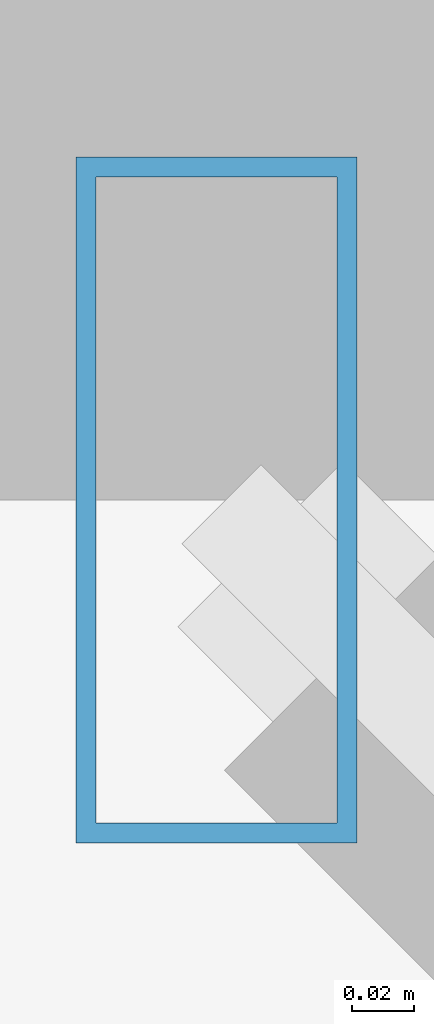
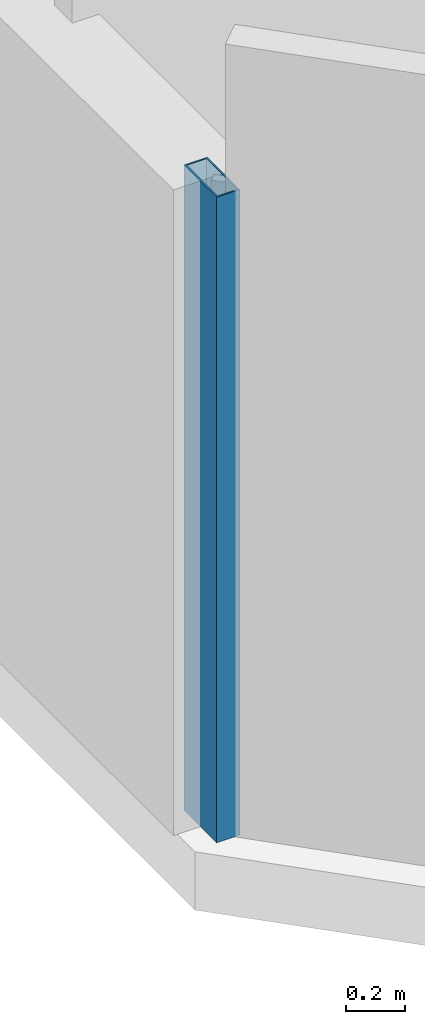
# One storey, part 6 of 36: 1 member, 1 element without a shape of its own.
"""IFC4 building model written with IfcOpenShell, lengths in metres."""

from ifc_helpers import new_model, si_unit, direction, frame, origin, origin_2d, place, context, subcontext, project, spatial, hollow_rectangle, extrude, material, material_profile, profile_set, type_object, element, aggregate, save


model = new_model("IFC4")

# Units and contexts
model_context = context("Model", 3, precision=1e-05, world=origin(), true_north=direction((0.0, 1.0)))
body_context = subcontext(model_context, "Body", "Model", "MODEL_VIEW")
ifc_project = project(units=[si_unit("LENGTHUNIT", "METRE"), si_unit("AREAUNIT", "SQUARE_METRE"), si_unit("VOLUMEUNIT", "CUBIC_METRE"), si_unit("PLANEANGLEUNIT", "RADIAN"), si_unit("MASSUNIT", "GRAM", prefix="KILO")], contexts=[model_context])

# Site, building, storey
site_placement = place(None, origin())
site = spatial("IfcSite", under=ifc_project, at=site_placement, CompositionType="ELEMENT")
building_placement = place(site_placement, origin())
building = spatial("IfcBuilding", under=site, at=building_placement, Name="Thornwick Lancets Civic Towers", CompositionType="ELEMENT")
storey_placement = place(building_placement, frame((0.0, 0.0, 68.10009765625)))
storey = spatial("IfcBuildingStorey", under=building, at=storey_placement, Name="L17", CompositionType="ELEMENT", Elevation=68.10009765625)

# Curtain wall, member
ifc_material_1 = material(Name="Low-zone chamfered-corner unitised glass curtain wall", Category="glass")
curtain_wall_type = type_object("IfcCurtainWallType", Name="CW_SYS_03", PredefinedType="NOTDEFINED", material=ifc_material_1)
curtain_wall_placement = place(storey_placement, origin())
curtain_wall = element("IfcCurtainWall", 1, at=curtain_wall_placement, inside=storey, type_object=curtain_wall_type, Name="L17 Curtain Wall CW-L17-B-E7", PredefinedType="NOTDEFINED")
ifc_material_2 = material(Name="Thermally broken bronze aluminium S355", Category="steel")
ifc_material_profile = material_profile(ifc_material_2, hollow_rectangle(XDim=0.090087890625, YDim=0.219970703125, WallThickness=0.00634765625, at=origin_2d()), Name="RHS 220x90x6.3")
ifc_profile_set = profile_set([ifc_material_profile], Name="Thermally broken bronze aluminium S355")
member_type = type_object("IfcMemberType", Name="CW_MUL_220", PredefinedType="MULLION", material=ifc_profile_set)
member_placement = place(storey_placement, frame((70.235107421875, 11.31884765625, 0.0), z_axis=(0.0, 0.0, 1.0), x_axis=(1.0, 0.0, 0.0)))
member = element("IfcMember", 2, at=member_placement, type_object=member_type, Name="CW-L17-B-E7 Mullion 0", PredefinedType="MULLION", context=body_context, shape_type="SweptSolid", body=[
    extrude(hollow_rectangle(XDim=0.090087890625, YDim=0.219970703125, WallThickness=0.00634765625, at=origin_2d()), origin(), (0.0, 0.0, 1.0), 2.659912109375),
])
aggregate(curtain_wall, [member])

save(model, "model.ifc")
